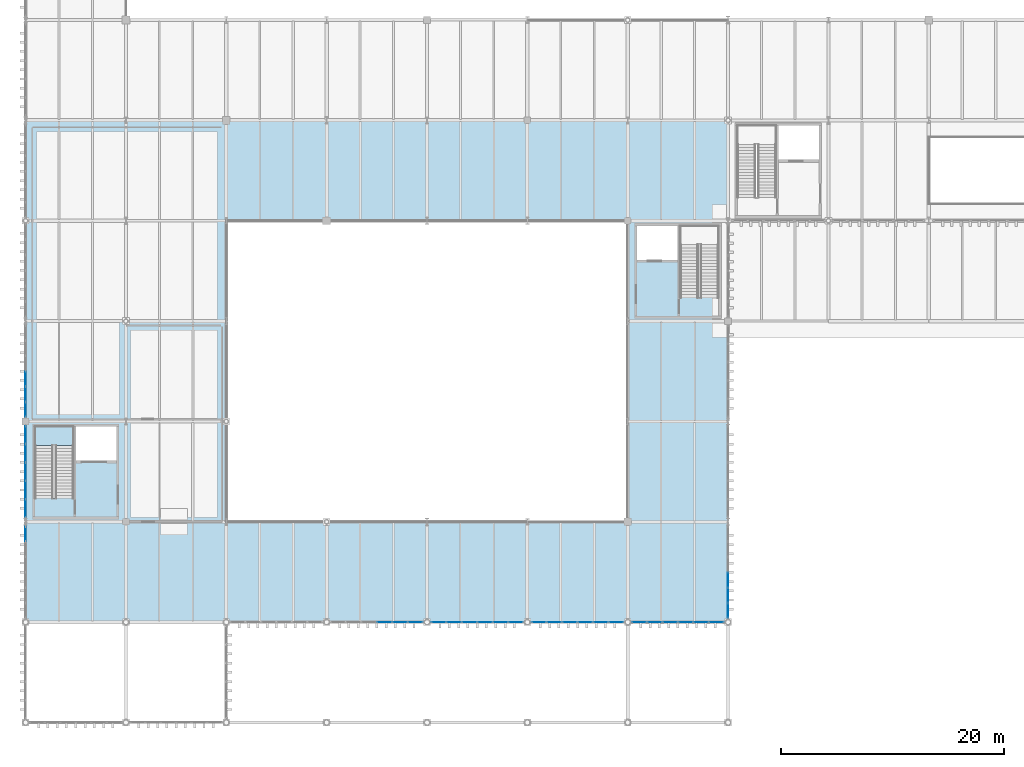
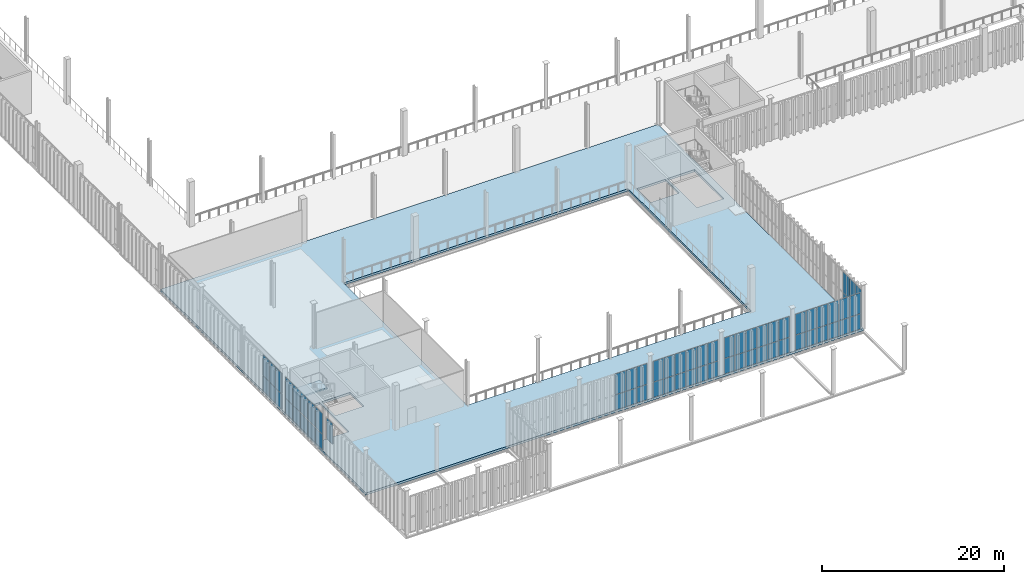
# One storey, part 152 of 211: 65 plates, 2 slabs, 9 elements without a shape of their own.
"""IFC4 building model written with IfcOpenShell, lengths in metres."""

from ifc_helpers import new_model, si_unit, direction, frame, origin, origin_2d, place, context, subcontext, project, spatial, polyline, rectangle, outline, extrude, material, layer, layer_set, type_object, element, aggregate, save


model = new_model("IFC4")

# Units and contexts
model_context = context("Model", 3, precision=1e-05, world=origin(), true_north=direction((0.0, 1.0)))
body_context = subcontext(model_context, "Body", "Model", "MODEL_VIEW")
ifc_project = project(units=[si_unit("LENGTHUNIT", "METRE"), si_unit("AREAUNIT", "SQUARE_METRE"), si_unit("VOLUMEUNIT", "CUBIC_METRE"), si_unit("PLANEANGLEUNIT", "RADIAN"), si_unit("MASSUNIT", "GRAM", prefix="KILO")], contexts=[model_context])

# Site, building, storey
site_placement = place(None, origin())
site = spatial("IfcSite", under=ifc_project, at=site_placement, CompositionType="ELEMENT")
building_placement = place(site_placement, origin())
building = spatial("IfcBuilding", under=site, at=building_placement, Name="Barlavento Convention Centre", CompositionType="ELEMENT")
storey_placement = place(building_placement, frame((0.0, 0.0, 6.0)))
storey = spatial("IfcBuildingStorey", under=building, at=storey_placement, Name="L01", CompositionType="ELEMENT", Elevation=6.0)

# Curtain wall, plates
ifc_material_1 = material(Name="Powder-coated aluminium and Low-E glass", Category="aluminium")
ifc_layer_1 = layer(ifc_material_1, 0.18505859375)
ifc_layer_set_1 = layer_set([ifc_layer_1], Name="ARC-CW-CONG-L01")
curtain_wall_type = type_object("IfcCurtainWallType", Name="ARC-CW-CONG-L01", PredefinedType="NOTDEFINED", material=ifc_layer_set_1)
curtain_wall_1_placement = place(storey_placement, origin())
curtain_wall_1 = element("IfcCurtainWall", 1, at=curtain_wall_1_placement, inside=storey, type_object=curtain_wall_type, Name="L01 unitised curtain wall CW01", PredefinedType="NOTDEFINED")
ifc_material_2 = material(Name="Double-silver Low-E acoustic laminated glass", Category="glass")
ifc_layer_2 = layer(ifc_material_2, 0.031982421875)
ifc_layer_set_2 = layer_set([ifc_layer_2], Name="ARC-CWP-GLZ32")
plate_type = type_object("IfcPlateType", Name="ARC-CWP-GLZ32", PredefinedType="CURTAIN_PANEL", material=ifc_layer_set_2)
plate_1_placement = place(storey_placement, frame((32.1943359375, 9.0, 0.06494140625), z_axis=(0.0, 0.0, 1.0), x_axis=(1.0, 0.0, 0.0)))
plate_1 = element("IfcPlate", 2, at=plate_1_placement, type_object=plate_type, Name="CW01 panel 4.1", PredefinedType="CURTAIN_PANEL", context=body_context, shape_type="SweptSolid", body=[
    extrude(rectangle(XDim=1.32373046875, YDim=0.031982421875, at=origin_2d()), origin(), (0.0, 0.0, 1.0), 2.00244140625),
])
plate_2_placement = place(storey_placement, frame((32.1943359375, 9.0, 2.132568359375), z_axis=(0.0, 0.0, 1.0), x_axis=(1.0, 0.0, 0.0)))
plate_2 = element("IfcPlate", 3, at=plate_2_placement, type_object=plate_type, Name="CW01 panel 4.2", PredefinedType="CURTAIN_PANEL", context=body_context, shape_type="SweptSolid", body=[
    extrude(rectangle(XDim=1.32373046875, YDim=0.031982421875, at=origin_2d()), origin(), (0.0, 0.0, 1.0), 2.75244140625),
])
plate_3_placement = place(storey_placement, frame((33.5830078125, 9.0, 0.06494140625), z_axis=(0.0, 0.0, 1.0), x_axis=(1.0, 0.0, 0.0)))
plate_3 = element("IfcPlate", 4, at=plate_3_placement, type_object=plate_type, Name="CW01 panel 5.1", PredefinedType="CURTAIN_PANEL", context=body_context, shape_type="SweptSolid", body=[
    extrude(rectangle(XDim=1.32373046875, YDim=0.031982421875, at=origin_2d()), origin(), (0.0, 0.0, 1.0), 2.00244140625),
])
plate_4_placement = place(storey_placement, frame((33.5830078125, 9.0, 2.132568359375), z_axis=(0.0, 0.0, 1.0), x_axis=(1.0, 0.0, 0.0)))
plate_4 = element("IfcPlate", 5, at=plate_4_placement, type_object=plate_type, Name="CW01 panel 5.2", PredefinedType="CURTAIN_PANEL", context=body_context, shape_type="SweptSolid", body=[
    extrude(rectangle(XDim=1.32373046875, YDim=0.031982421875, at=origin_2d()), origin(), (0.0, 0.0, 1.0), 2.75244140625),
])
plate_5_placement = place(storey_placement, frame((34.955322265625, 9.0, 0.06494140625), z_axis=(0.0, 0.0, 1.0), x_axis=(1.0, 0.0, 0.0)))
plate_5 = element("IfcPlate", 6, at=plate_5_placement, type_object=plate_type, Name="CW01 panel 6.1", PredefinedType="CURTAIN_PANEL", context=body_context, shape_type="SweptSolid", body=[
    extrude(rectangle(XDim=1.291259765625, YDim=0.031982421875, at=origin_2d()), origin(), (0.0, 0.0, 1.0), 2.00244140625),
])
plate_6_placement = place(storey_placement, frame((34.955322265625, 9.0, 2.132568359375), z_axis=(0.0, 0.0, 1.0), x_axis=(1.0, 0.0, 0.0)))
plate_6 = element("IfcPlate", 7, at=plate_6_placement, type_object=plate_type, Name="CW01 panel 6.2", PredefinedType="CURTAIN_PANEL", context=body_context, shape_type="SweptSolid", body=[
    extrude(rectangle(XDim=1.291259765625, YDim=0.031982421875, at=origin_2d()), origin(), (0.0, 0.0, 1.0), 2.75244140625),
])
aggregate(curtain_wall_1, [plate_1, plate_2, plate_3, plate_4, plate_5, plate_6])

curtain_wall_2_placement = place(storey_placement, origin())
curtain_wall_2 = element("IfcCurtainWall", 8, at=curtain_wall_2_placement, inside=storey, type_object=curtain_wall_type, Name="L01 unitised curtain wall CW01", PredefinedType="NOTDEFINED")
plate_7_placement = place(storey_placement, frame((37.044677734375, 9.0, 0.06494140625), z_axis=(0.0, 0.0, 1.0), x_axis=(1.0, 0.0, 0.0)))
plate_7 = element("IfcPlate", 9, at=plate_7_placement, type_object=plate_type, Name="CW01 panel 1.1", PredefinedType="CURTAIN_PANEL", context=body_context, shape_type="SweptSolid", body=[
    extrude(rectangle(XDim=1.291259765625, YDim=0.031982421875, at=origin_2d()), origin(), (0.0, 0.0, 1.0), 2.00244140625),
])
plate_8_placement = place(storey_placement, frame((37.044677734375, 9.0, 2.132568359375), z_axis=(0.0, 0.0, 1.0), x_axis=(1.0, 0.0, 0.0)))
plate_8 = element("IfcPlate", 10, at=plate_8_placement, type_object=plate_type, Name="CW01 panel 1.2", PredefinedType="CURTAIN_PANEL", context=body_context, shape_type="SweptSolid", body=[
    extrude(rectangle(XDim=1.291259765625, YDim=0.031982421875, at=origin_2d()), origin(), (0.0, 0.0, 1.0), 2.75244140625),
])
plate_9_placement = place(storey_placement, frame((38.4169921875, 9.0, 0.06494140625), z_axis=(0.0, 0.0, 1.0), x_axis=(1.0, 0.0, 0.0)))
plate_9 = element("IfcPlate", 11, at=plate_9_placement, type_object=plate_type, Name="CW01 panel 2.1", PredefinedType="CURTAIN_PANEL", context=body_context, shape_type="SweptSolid", body=[
    extrude(rectangle(XDim=1.32373046875, YDim=0.031982421875, at=origin_2d()), origin(), (0.0, 0.0, 1.0), 2.00244140625),
])
plate_10_placement = place(storey_placement, frame((38.4169921875, 9.0, 2.132568359375), z_axis=(0.0, 0.0, 1.0), x_axis=(1.0, 0.0, 0.0)))
plate_10 = element("IfcPlate", 12, at=plate_10_placement, type_object=plate_type, Name="CW01 panel 2.2", PredefinedType="CURTAIN_PANEL", context=body_context, shape_type="SweptSolid", body=[
    extrude(rectangle(XDim=1.32373046875, YDim=0.031982421875, at=origin_2d()), origin(), (0.0, 0.0, 1.0), 2.75244140625),
])
plate_11_placement = place(storey_placement, frame((39.8056640625, 9.0, 0.06494140625), z_axis=(0.0, 0.0, 1.0), x_axis=(1.0, 0.0, 0.0)))
plate_11 = element("IfcPlate", 13, at=plate_11_placement, type_object=plate_type, Name="CW01 panel 3.1", PredefinedType="CURTAIN_PANEL", context=body_context, shape_type="SweptSolid", body=[
    extrude(rectangle(XDim=1.32373046875, YDim=0.031982421875, at=origin_2d()), origin(), (0.0, 0.0, 1.0), 2.00244140625),
])
plate_12_placement = place(storey_placement, frame((39.8056640625, 9.0, 2.132568359375), z_axis=(0.0, 0.0, 1.0), x_axis=(1.0, 0.0, 0.0)))
plate_12 = element("IfcPlate", 14, at=plate_12_placement, type_object=plate_type, Name="CW01 panel 3.2", PredefinedType="CURTAIN_PANEL", context=body_context, shape_type="SweptSolid", body=[
    extrude(rectangle(XDim=1.32373046875, YDim=0.031982421875, at=origin_2d()), origin(), (0.0, 0.0, 1.0), 2.75244140625),
])
plate_13_placement = place(storey_placement, frame((41.1943359375, 9.0, 0.06494140625), z_axis=(0.0, 0.0, 1.0), x_axis=(1.0, 0.0, 0.0)))
plate_13 = element("IfcPlate", 15, at=plate_13_placement, type_object=plate_type, Name="CW01 panel 4.1", PredefinedType="CURTAIN_PANEL", context=body_context, shape_type="SweptSolid", body=[
    extrude(rectangle(XDim=1.32373046875, YDim=0.031982421875, at=origin_2d()), origin(), (0.0, 0.0, 1.0), 2.00244140625),
])
plate_14_placement = place(storey_placement, frame((41.1943359375, 9.0, 2.132568359375), z_axis=(0.0, 0.0, 1.0), x_axis=(1.0, 0.0, 0.0)))
plate_14 = element("IfcPlate", 16, at=plate_14_placement, type_object=plate_type, Name="CW01 panel 4.2", PredefinedType="CURTAIN_PANEL", context=body_context, shape_type="SweptSolid", body=[
    extrude(rectangle(XDim=1.32373046875, YDim=0.031982421875, at=origin_2d()), origin(), (0.0, 0.0, 1.0), 2.75244140625),
])
plate_15_placement = place(storey_placement, frame((42.5830078125, 9.0, 0.06494140625), z_axis=(0.0, 0.0, 1.0), x_axis=(1.0, 0.0, 0.0)))
plate_15 = element("IfcPlate", 17, at=plate_15_placement, type_object=plate_type, Name="CW01 panel 5.1", PredefinedType="CURTAIN_PANEL", context=body_context, shape_type="SweptSolid", body=[
    extrude(rectangle(XDim=1.32373046875, YDim=0.031982421875, at=origin_2d()), origin(), (0.0, 0.0, 1.0), 2.00244140625),
])
plate_16_placement = place(storey_placement, frame((42.5830078125, 9.0, 2.132568359375), z_axis=(0.0, 0.0, 1.0), x_axis=(1.0, 0.0, 0.0)))
plate_16 = element("IfcPlate", 18, at=plate_16_placement, type_object=plate_type, Name="CW01 panel 5.2", PredefinedType="CURTAIN_PANEL", context=body_context, shape_type="SweptSolid", body=[
    extrude(rectangle(XDim=1.32373046875, YDim=0.031982421875, at=origin_2d()), origin(), (0.0, 0.0, 1.0), 2.75244140625),
])
plate_17_placement = place(storey_placement, frame((43.955322265625, 9.0, 0.06494140625), z_axis=(0.0, 0.0, 1.0), x_axis=(1.0, 0.0, 0.0)))
plate_17 = element("IfcPlate", 19, at=plate_17_placement, type_object=plate_type, Name="CW01 panel 6.1", PredefinedType="CURTAIN_PANEL", context=body_context, shape_type="SweptSolid", body=[
    extrude(rectangle(XDim=1.291259765625, YDim=0.031982421875, at=origin_2d()), origin(), (0.0, 0.0, 1.0), 2.00244140625),
])
plate_18_placement = place(storey_placement, frame((43.955322265625, 9.0, 2.132568359375), z_axis=(0.0, 0.0, 1.0), x_axis=(1.0, 0.0, 0.0)))
plate_18 = element("IfcPlate", 20, at=plate_18_placement, type_object=plate_type, Name="CW01 panel 6.2", PredefinedType="CURTAIN_PANEL", context=body_context, shape_type="SweptSolid", body=[
    extrude(rectangle(XDim=1.291259765625, YDim=0.031982421875, at=origin_2d()), origin(), (0.0, 0.0, 1.0), 2.75244140625),
])
aggregate(curtain_wall_2, [plate_7, plate_8, plate_9, plate_10, plate_11, plate_12, plate_13, plate_14, plate_15, plate_16, plate_17, plate_18])

curtain_wall_3_placement = place(storey_placement, origin())
curtain_wall_3 = element("IfcCurtainWall", 21, at=curtain_wall_3_placement, inside=storey, type_object=curtain_wall_type, Name="L01 unitised curtain wall CW01", PredefinedType="NOTDEFINED")
plate_19_placement = place(storey_placement, frame((46.044677734375, 9.0, 0.06494140625), z_axis=(0.0, 0.0, 1.0), x_axis=(1.0, 0.0, 0.0)))
plate_19 = element("IfcPlate", 22, at=plate_19_placement, type_object=plate_type, Name="CW01 panel 1.1", PredefinedType="CURTAIN_PANEL", context=body_context, shape_type="SweptSolid", body=[
    extrude(rectangle(XDim=1.291259765625, YDim=0.031982421875, at=origin_2d()), origin(), (0.0, 0.0, 1.0), 2.00244140625),
])
plate_20_placement = place(storey_placement, frame((46.044677734375, 9.0, 2.132568359375), z_axis=(0.0, 0.0, 1.0), x_axis=(1.0, 0.0, 0.0)))
plate_20 = element("IfcPlate", 23, at=plate_20_placement, type_object=plate_type, Name="CW01 panel 1.2", PredefinedType="CURTAIN_PANEL", context=body_context, shape_type="SweptSolid", body=[
    extrude(rectangle(XDim=1.291259765625, YDim=0.031982421875, at=origin_2d()), origin(), (0.0, 0.0, 1.0), 2.75244140625),
])
plate_21_placement = place(storey_placement, frame((47.4169921875, 9.0, 0.06494140625), z_axis=(0.0, 0.0, 1.0), x_axis=(1.0, 0.0, 0.0)))
plate_21 = element("IfcPlate", 24, at=plate_21_placement, type_object=plate_type, Name="CW01 panel 2.1", PredefinedType="CURTAIN_PANEL", context=body_context, shape_type="SweptSolid", body=[
    extrude(rectangle(XDim=1.32373046875, YDim=0.031982421875, at=origin_2d()), origin(), (0.0, 0.0, 1.0), 2.00244140625),
])
plate_22_placement = place(storey_placement, frame((47.4169921875, 9.0, 2.132568359375), z_axis=(0.0, 0.0, 1.0), x_axis=(1.0, 0.0, 0.0)))
plate_22 = element("IfcPlate", 25, at=plate_22_placement, type_object=plate_type, Name="CW01 panel 2.2", PredefinedType="CURTAIN_PANEL", context=body_context, shape_type="SweptSolid", body=[
    extrude(rectangle(XDim=1.32373046875, YDim=0.031982421875, at=origin_2d()), origin(), (0.0, 0.0, 1.0), 2.75244140625),
])
plate_23_placement = place(storey_placement, frame((48.8056640625, 9.0, 0.06494140625), z_axis=(0.0, 0.0, 1.0), x_axis=(1.0, 0.0, 0.0)))
plate_23 = element("IfcPlate", 26, at=plate_23_placement, type_object=plate_type, Name="CW01 panel 3.1", PredefinedType="CURTAIN_PANEL", context=body_context, shape_type="SweptSolid", body=[
    extrude(rectangle(XDim=1.32373046875, YDim=0.031982421875, at=origin_2d()), origin(), (0.0, 0.0, 1.0), 2.00244140625),
])
plate_24_placement = place(storey_placement, frame((48.8056640625, 9.0, 2.132568359375), z_axis=(0.0, 0.0, 1.0), x_axis=(1.0, 0.0, 0.0)))
plate_24 = element("IfcPlate", 27, at=plate_24_placement, type_object=plate_type, Name="CW01 panel 3.2", PredefinedType="CURTAIN_PANEL", context=body_context, shape_type="SweptSolid", body=[
    extrude(rectangle(XDim=1.32373046875, YDim=0.031982421875, at=origin_2d()), origin(), (0.0, 0.0, 1.0), 2.75244140625),
])
plate_25_placement = place(storey_placement, frame((50.1943359375, 9.0, 0.06494140625), z_axis=(0.0, 0.0, 1.0), x_axis=(1.0, 0.0, 0.0)))
plate_25 = element("IfcPlate", 28, at=plate_25_placement, type_object=plate_type, Name="CW01 panel 4.1", PredefinedType="CURTAIN_PANEL", context=body_context, shape_type="SweptSolid", body=[
    extrude(rectangle(XDim=1.32373046875, YDim=0.031982421875, at=origin_2d()), origin(), (0.0, 0.0, 1.0), 2.00244140625),
])
plate_26_placement = place(storey_placement, frame((50.1943359375, 9.0, 2.132568359375), z_axis=(0.0, 0.0, 1.0), x_axis=(1.0, 0.0, 0.0)))
plate_26 = element("IfcPlate", 29, at=plate_26_placement, type_object=plate_type, Name="CW01 panel 4.2", PredefinedType="CURTAIN_PANEL", context=body_context, shape_type="SweptSolid", body=[
    extrude(rectangle(XDim=1.32373046875, YDim=0.031982421875, at=origin_2d()), origin(), (0.0, 0.0, 1.0), 2.75244140625),
])
plate_27_placement = place(storey_placement, frame((51.5830078125, 9.0, 0.06494140625), z_axis=(0.0, 0.0, 1.0), x_axis=(1.0, 0.0, 0.0)))
plate_27 = element("IfcPlate", 30, at=plate_27_placement, type_object=plate_type, Name="CW01 panel 5.1", PredefinedType="CURTAIN_PANEL", context=body_context, shape_type="SweptSolid", body=[
    extrude(rectangle(XDim=1.32373046875, YDim=0.031982421875, at=origin_2d()), origin(), (0.0, 0.0, 1.0), 2.00244140625),
])
plate_28_placement = place(storey_placement, frame((51.5830078125, 9.0, 2.132568359375), z_axis=(0.0, 0.0, 1.0), x_axis=(1.0, 0.0, 0.0)))
plate_28 = element("IfcPlate", 31, at=plate_28_placement, type_object=plate_type, Name="CW01 panel 5.2", PredefinedType="CURTAIN_PANEL", context=body_context, shape_type="SweptSolid", body=[
    extrude(rectangle(XDim=1.32373046875, YDim=0.031982421875, at=origin_2d()), origin(), (0.0, 0.0, 1.0), 2.75244140625),
])
plate_29_placement = place(storey_placement, frame((52.955322265625, 9.0, 0.06494140625), z_axis=(0.0, 0.0, 1.0), x_axis=(1.0, 0.0, 0.0)))
plate_29 = element("IfcPlate", 32, at=plate_29_placement, type_object=plate_type, Name="CW01 panel 6.1", PredefinedType="CURTAIN_PANEL", context=body_context, shape_type="SweptSolid", body=[
    extrude(rectangle(XDim=1.291259765625, YDim=0.031982421875, at=origin_2d()), origin(), (0.0, 0.0, 1.0), 2.00244140625),
])
plate_30_placement = place(storey_placement, frame((52.955322265625, 9.0, 2.132568359375), z_axis=(0.0, 0.0, 1.0), x_axis=(1.0, 0.0, 0.0)))
plate_30 = element("IfcPlate", 33, at=plate_30_placement, type_object=plate_type, Name="CW01 panel 6.2", PredefinedType="CURTAIN_PANEL", context=body_context, shape_type="SweptSolid", body=[
    extrude(rectangle(XDim=1.291259765625, YDim=0.031982421875, at=origin_2d()), origin(), (0.0, 0.0, 1.0), 2.75244140625),
])
aggregate(curtain_wall_3, [plate_19, plate_20, plate_21, plate_22, plate_23, plate_24, plate_25, plate_26, plate_27, plate_28, plate_29, plate_30])

curtain_wall_4_placement = place(storey_placement, origin())
curtain_wall_4 = element("IfcCurtainWall", 34, at=curtain_wall_4_placement, inside=storey, type_object=curtain_wall_type, Name="L01 unitised curtain wall CW01", PredefinedType="NOTDEFINED")
plate_31_placement = place(storey_placement, frame((55.044677734375, 9.0, 0.06494140625), z_axis=(0.0, 0.0, 1.0), x_axis=(1.0, 0.0, 0.0)))
plate_31 = element("IfcPlate", 35, at=plate_31_placement, type_object=plate_type, Name="CW01 panel 1.1", PredefinedType="CURTAIN_PANEL", context=body_context, shape_type="SweptSolid", body=[
    extrude(rectangle(XDim=1.291259765625, YDim=0.031982421875, at=origin_2d()), origin(), (0.0, 0.0, 1.0), 2.00244140625),
])
plate_32_placement = place(storey_placement, frame((55.044677734375, 9.0, 2.132568359375), z_axis=(0.0, 0.0, 1.0), x_axis=(1.0, 0.0, 0.0)))
plate_32 = element("IfcPlate", 36, at=plate_32_placement, type_object=plate_type, Name="CW01 panel 1.2", PredefinedType="CURTAIN_PANEL", context=body_context, shape_type="SweptSolid", body=[
    extrude(rectangle(XDim=1.291259765625, YDim=0.031982421875, at=origin_2d()), origin(), (0.0, 0.0, 1.0), 2.75244140625),
])
plate_33_placement = place(storey_placement, frame((56.4169921875, 9.0, 0.06494140625), z_axis=(0.0, 0.0, 1.0), x_axis=(1.0, 0.0, 0.0)))
plate_33 = element("IfcPlate", 37, at=plate_33_placement, type_object=plate_type, Name="CW01 panel 2.1", PredefinedType="CURTAIN_PANEL", context=body_context, shape_type="SweptSolid", body=[
    extrude(rectangle(XDim=1.32373046875, YDim=0.031982421875, at=origin_2d()), origin(), (0.0, 0.0, 1.0), 2.00244140625),
])
plate_34_placement = place(storey_placement, frame((56.4169921875, 9.0, 2.132568359375), z_axis=(0.0, 0.0, 1.0), x_axis=(1.0, 0.0, 0.0)))
plate_34 = element("IfcPlate", 38, at=plate_34_placement, type_object=plate_type, Name="CW01 panel 2.2", PredefinedType="CURTAIN_PANEL", context=body_context, shape_type="SweptSolid", body=[
    extrude(rectangle(XDim=1.32373046875, YDim=0.031982421875, at=origin_2d()), origin(), (0.0, 0.0, 1.0), 2.75244140625),
])
plate_35_placement = place(storey_placement, frame((57.8056640625, 9.0, 0.06494140625), z_axis=(0.0, 0.0, 1.0), x_axis=(1.0, 0.0, 0.0)))
plate_35 = element("IfcPlate", 39, at=plate_35_placement, type_object=plate_type, Name="CW01 panel 3.1", PredefinedType="CURTAIN_PANEL", context=body_context, shape_type="SweptSolid", body=[
    extrude(rectangle(XDim=1.32373046875, YDim=0.031982421875, at=origin_2d()), origin(), (0.0, 0.0, 1.0), 2.00244140625),
])
plate_36_placement = place(storey_placement, frame((57.8056640625, 9.0, 2.132568359375), z_axis=(0.0, 0.0, 1.0), x_axis=(1.0, 0.0, 0.0)))
plate_36 = element("IfcPlate", 40, at=plate_36_placement, type_object=plate_type, Name="CW01 panel 3.2", PredefinedType="CURTAIN_PANEL", context=body_context, shape_type="SweptSolid", body=[
    extrude(rectangle(XDim=1.32373046875, YDim=0.031982421875, at=origin_2d()), origin(), (0.0, 0.0, 1.0), 2.75244140625),
])
plate_37_placement = place(storey_placement, frame((59.1943359375, 9.0, 0.06494140625), z_axis=(0.0, 0.0, 1.0), x_axis=(1.0, 0.0, 0.0)))
plate_37 = element("IfcPlate", 41, at=plate_37_placement, type_object=plate_type, Name="CW01 panel 4.1", PredefinedType="CURTAIN_PANEL", context=body_context, shape_type="SweptSolid", body=[
    extrude(rectangle(XDim=1.32373046875, YDim=0.031982421875, at=origin_2d()), origin(), (0.0, 0.0, 1.0), 2.00244140625),
])
plate_38_placement = place(storey_placement, frame((59.1943359375, 9.0, 2.132568359375), z_axis=(0.0, 0.0, 1.0), x_axis=(1.0, 0.0, 0.0)))
plate_38 = element("IfcPlate", 42, at=plate_38_placement, type_object=plate_type, Name="CW01 panel 4.2", PredefinedType="CURTAIN_PANEL", context=body_context, shape_type="SweptSolid", body=[
    extrude(rectangle(XDim=1.32373046875, YDim=0.031982421875, at=origin_2d()), origin(), (0.0, 0.0, 1.0), 2.75244140625),
])
plate_39_placement = place(storey_placement, frame((60.5830078125, 9.0, 0.06494140625), z_axis=(0.0, 0.0, 1.0), x_axis=(1.0, 0.0, 0.0)))
plate_39 = element("IfcPlate", 43, at=plate_39_placement, type_object=plate_type, Name="CW01 panel 5.1", PredefinedType="CURTAIN_PANEL", context=body_context, shape_type="SweptSolid", body=[
    extrude(rectangle(XDim=1.32373046875, YDim=0.031982421875, at=origin_2d()), origin(), (0.0, 0.0, 1.0), 2.00244140625),
])
plate_40_placement = place(storey_placement, frame((60.5830078125, 9.0, 2.132568359375), z_axis=(0.0, 0.0, 1.0), x_axis=(1.0, 0.0, 0.0)))
plate_40 = element("IfcPlate", 44, at=plate_40_placement, type_object=plate_type, Name="CW01 panel 5.2", PredefinedType="CURTAIN_PANEL", context=body_context, shape_type="SweptSolid", body=[
    extrude(rectangle(XDim=1.32373046875, YDim=0.031982421875, at=origin_2d()), origin(), (0.0, 0.0, 1.0), 2.75244140625),
])
plate_41_placement = place(storey_placement, frame((61.955322265625, 9.0, 0.06494140625), z_axis=(0.0, 0.0, 1.0), x_axis=(1.0, 0.0, 0.0)))
plate_41 = element("IfcPlate", 45, at=plate_41_placement, type_object=plate_type, Name="CW01 panel 6.1", PredefinedType="CURTAIN_PANEL", context=body_context, shape_type="SweptSolid", body=[
    extrude(rectangle(XDim=1.291259765625, YDim=0.031982421875, at=origin_2d()), origin(), (0.0, 0.0, 1.0), 2.00244140625),
])
plate_42_placement = place(storey_placement, frame((61.955322265625, 9.0, 2.132568359375), z_axis=(0.0, 0.0, 1.0), x_axis=(1.0, 0.0, 0.0)))
plate_42 = element("IfcPlate", 46, at=plate_42_placement, type_object=plate_type, Name="CW01 panel 6.2", PredefinedType="CURTAIN_PANEL", context=body_context, shape_type="SweptSolid", body=[
    extrude(rectangle(XDim=1.291259765625, YDim=0.031982421875, at=origin_2d()), origin(), (0.0, 0.0, 1.0), 2.75244140625),
])
aggregate(curtain_wall_4, [plate_31, plate_32, plate_33, plate_34, plate_35, plate_36, plate_37, plate_38, plate_39, plate_40, plate_41, plate_42])

# Curtain wall, plate
curtain_wall_5_placement = place(storey_placement, origin())
curtain_wall_5 = element("IfcCurtainWall", 47, at=curtain_wall_5_placement, inside=storey, type_object=curtain_wall_type, Name="L01 unitised curtain wall CW01", PredefinedType="NOTDEFINED")
plate_43_placement = place(storey_placement, frame((0.0, 16.913330078125, 2.132568359375), z_axis=(0.0, 0.0, 1.0), x_axis=(0.0, 1.0, 0.0)))
plate_43 = element("IfcPlate", 48, at=plate_43_placement, type_object=plate_type, Name="CW01 panel 6.2", PredefinedType="CURTAIN_PANEL", context=body_context, shape_type="SweptSolid", body=[
    extrude(rectangle(XDim=1.283447265625, YDim=0.031982421875, at=origin_2d()), origin(), (0.0, 0.0, 1.0), 2.75244140625),
])
aggregate(curtain_wall_5, [plate_43])

# Curtain wall, plates
curtain_wall_6_placement = place(storey_placement, origin())
curtain_wall_6 = element("IfcCurtainWall", 49, at=curtain_wall_6_placement, inside=storey, type_object=curtain_wall_type, Name="L01 unitised curtain wall CW01", PredefinedType="NOTDEFINED")
plate_44_placement = place(storey_placement, frame((0.0, 19.22021484375, 0.06494140625), z_axis=(0.0, 0.0, 1.0), x_axis=(0.0, 1.0, 0.0)))
plate_44 = element("IfcPlate", 50, at=plate_44_placement, type_object=plate_type, Name="CW01 panel 1.1", PredefinedType="CURTAIN_PANEL", context=body_context, shape_type="SweptSolid", body=[
    extrude(rectangle(XDim=1.550537109375, YDim=0.031982421875, at=origin_2d()), origin(), (0.0, 0.0, 1.0), 2.00244140625),
])
plate_45_placement = place(storey_placement, frame((0.0, 19.22021484375, 2.132568359375), z_axis=(0.0, 0.0, 1.0), x_axis=(0.0, 1.0, 0.0)))
plate_45 = element("IfcPlate", 51, at=plate_45_placement, type_object=plate_type, Name="CW01 panel 1.2", PredefinedType="CURTAIN_PANEL", context=body_context, shape_type="SweptSolid", body=[
    extrude(rectangle(XDim=1.550537109375, YDim=0.031982421875, at=origin_2d()), origin(), (0.0, 0.0, 1.0), 2.75244140625),
])
plate_46_placement = place(storey_placement, frame((0.0, 20.85205078125, 0.06494140625), z_axis=(0.0, 0.0, 1.0), x_axis=(0.0, 1.0, 0.0)))
plate_46 = element("IfcPlate", 52, at=plate_46_placement, type_object=plate_type, Name="CW01 panel 2.1", PredefinedType="CURTAIN_PANEL", context=body_context, shape_type="SweptSolid", body=[
    extrude(rectangle(XDim=1.5830078125, YDim=0.031982421875, at=origin_2d()), origin(), (0.0, 0.0, 1.0), 2.00244140625),
])
plate_47_placement = place(storey_placement, frame((0.0, 20.85205078125, 2.132568359375), z_axis=(0.0, 0.0, 1.0), x_axis=(0.0, 1.0, 0.0)))
plate_47 = element("IfcPlate", 53, at=plate_47_placement, type_object=plate_type, Name="CW01 panel 2.2", PredefinedType="CURTAIN_PANEL", context=body_context, shape_type="SweptSolid", body=[
    extrude(rectangle(XDim=1.5830078125, YDim=0.031982421875, at=origin_2d()), origin(), (0.0, 0.0, 1.0), 2.75244140625),
])
plate_48_placement = place(storey_placement, frame((0.0, 22.5, 0.06494140625), z_axis=(0.0, 0.0, 1.0), x_axis=(0.0, 1.0, 0.0)))
plate_48 = element("IfcPlate", 54, at=plate_48_placement, type_object=plate_type, Name="CW01 panel 3.1", PredefinedType="CURTAIN_PANEL", context=body_context, shape_type="SweptSolid", body=[
    extrude(rectangle(XDim=1.5830078125, YDim=0.031982421875, at=origin_2d()), origin(), (0.0, 0.0, 1.0), 2.00244140625),
])
plate_49_placement = place(storey_placement, frame((0.0, 22.5, 2.132568359375), z_axis=(0.0, 0.0, 1.0), x_axis=(0.0, 1.0, 0.0)))
plate_49 = element("IfcPlate", 55, at=plate_49_placement, type_object=plate_type, Name="CW01 panel 3.2", PredefinedType="CURTAIN_PANEL", context=body_context, shape_type="SweptSolid", body=[
    extrude(rectangle(XDim=1.5830078125, YDim=0.031982421875, at=origin_2d()), origin(), (0.0, 0.0, 1.0), 2.75244140625),
])
plate_50_placement = place(storey_placement, frame((0.0, 24.14794921875, 0.06494140625), z_axis=(0.0, 0.0, 1.0), x_axis=(0.0, 1.0, 0.0)))
plate_50 = element("IfcPlate", 56, at=plate_50_placement, type_object=plate_type, Name="CW01 panel 4.1", PredefinedType="CURTAIN_PANEL", context=body_context, shape_type="SweptSolid", body=[
    extrude(rectangle(XDim=1.5830078125, YDim=0.031982421875, at=origin_2d()), origin(), (0.0, 0.0, 1.0), 2.00244140625),
])
plate_51_placement = place(storey_placement, frame((0.0, 24.14794921875, 2.132568359375), z_axis=(0.0, 0.0, 1.0), x_axis=(0.0, 1.0, 0.0)))
plate_51 = element("IfcPlate", 57, at=plate_51_placement, type_object=plate_type, Name="CW01 panel 4.2", PredefinedType="CURTAIN_PANEL", context=body_context, shape_type="SweptSolid", body=[
    extrude(rectangle(XDim=1.5830078125, YDim=0.031982421875, at=origin_2d()), origin(), (0.0, 0.0, 1.0), 2.75244140625),
])
plate_52_placement = place(storey_placement, frame((0.0, 25.77978515625, 0.06494140625), z_axis=(0.0, 0.0, 1.0), x_axis=(0.0, 1.0, 0.0)))
plate_52 = element("IfcPlate", 58, at=plate_52_placement, type_object=plate_type, Name="CW01 panel 5.1", PredefinedType="CURTAIN_PANEL", context=body_context, shape_type="SweptSolid", body=[
    extrude(rectangle(XDim=1.550537109375, YDim=0.031982421875, at=origin_2d()), origin(), (0.0, 0.0, 1.0), 2.00244140625),
])
plate_53_placement = place(storey_placement, frame((0.0, 25.77978515625, 2.132568359375), z_axis=(0.0, 0.0, 1.0), x_axis=(0.0, 1.0, 0.0)))
plate_53 = element("IfcPlate", 59, at=plate_53_placement, type_object=plate_type, Name="CW01 panel 5.2", PredefinedType="CURTAIN_PANEL", context=body_context, shape_type="SweptSolid", body=[
    extrude(rectangle(XDim=1.550537109375, YDim=0.031982421875, at=origin_2d()), origin(), (0.0, 0.0, 1.0), 2.75244140625),
])
aggregate(curtain_wall_6, [plate_44, plate_45, plate_46, plate_47, plate_48, plate_49, plate_50, plate_51, plate_52, plate_53])

curtain_wall_7_placement = place(storey_placement, origin())
curtain_wall_7 = element("IfcCurtainWall", 60, at=curtain_wall_7_placement, inside=storey, type_object=curtain_wall_type, Name="L01 unitised curtain wall CW01", PredefinedType="NOTDEFINED")
plate_54_placement = place(storey_placement, frame((0.0, 28.083984375, 0.06494140625), z_axis=(0.0, 0.0, 1.0), x_axis=(0.0, 1.0, 0.0)))
plate_54 = element("IfcPlate", 61, at=plate_54_placement, type_object=plate_type, Name="CW01 panel 1.1", PredefinedType="CURTAIN_PANEL", context=body_context, shape_type="SweptSolid", body=[
    extrude(rectangle(XDim=1.278076171875, YDim=0.031982421875, at=origin_2d()), origin(), (0.0, 0.0, 1.0), 2.00244140625),
])
plate_55_placement = place(storey_placement, frame((0.0, 28.083984375, 2.132568359375), z_axis=(0.0, 0.0, 1.0), x_axis=(0.0, 1.0, 0.0)))
plate_55 = element("IfcPlate", 62, at=plate_55_placement, type_object=plate_type, Name="CW01 panel 1.2", PredefinedType="CURTAIN_PANEL", context=body_context, shape_type="SweptSolid", body=[
    extrude(rectangle(XDim=1.278076171875, YDim=0.031982421875, at=origin_2d()), origin(), (0.0, 0.0, 1.0), 2.75244140625),
])
plate_56_placement = place(storey_placement, frame((0.0, 29.443603515625, 0.06494140625), z_axis=(0.0, 0.0, 1.0), x_axis=(0.0, 1.0, 0.0)))
plate_56 = element("IfcPlate", 63, at=plate_56_placement, type_object=plate_type, Name="CW01 panel 2.1", PredefinedType="CURTAIN_PANEL", context=body_context, shape_type="SweptSolid", body=[
    extrude(rectangle(XDim=1.310546875, YDim=0.031982421875, at=origin_2d()), origin(), (0.0, 0.0, 1.0), 2.00244140625),
])
plate_57_placement = place(storey_placement, frame((0.0, 29.443603515625, 2.132568359375), z_axis=(0.0, 0.0, 1.0), x_axis=(0.0, 1.0, 0.0)))
plate_57 = element("IfcPlate", 64, at=plate_57_placement, type_object=plate_type, Name="CW01 panel 2.2", PredefinedType="CURTAIN_PANEL", context=body_context, shape_type="SweptSolid", body=[
    extrude(rectangle(XDim=1.310546875, YDim=0.031982421875, at=origin_2d()), origin(), (0.0, 0.0, 1.0), 2.75244140625),
])
plate_58_placement = place(storey_placement, frame((0.0, 30.819091796875, 0.06494140625), z_axis=(0.0, 0.0, 1.0), x_axis=(0.0, 1.0, 0.0)))
plate_58 = element("IfcPlate", 65, at=plate_58_placement, type_object=plate_type, Name="CW01 panel 3.1", PredefinedType="CURTAIN_PANEL", context=body_context, shape_type="SweptSolid", body=[
    extrude(rectangle(XDim=1.310546875, YDim=0.031982421875, at=origin_2d()), origin(), (0.0, 0.0, 1.0), 2.00244140625),
])
plate_59_placement = place(storey_placement, frame((0.0, 30.819091796875, 2.132568359375), z_axis=(0.0, 0.0, 1.0), x_axis=(0.0, 1.0, 0.0)))
plate_59 = element("IfcPlate", 66, at=plate_59_placement, type_object=plate_type, Name="CW01 panel 3.2", PredefinedType="CURTAIN_PANEL", context=body_context, shape_type="SweptSolid", body=[
    extrude(rectangle(XDim=1.310546875, YDim=0.031982421875, at=origin_2d()), origin(), (0.0, 0.0, 1.0), 2.75244140625),
])
aggregate(curtain_wall_7, [plate_54, plate_55, plate_56, plate_57, plate_58, plate_59])

curtain_wall_8_placement = place(storey_placement, origin())
curtain_wall_8 = element("IfcCurtainWall", 67, at=curtain_wall_8_placement, inside=storey, type_object=curtain_wall_type, Name="L01 unitised curtain wall CW01", PredefinedType="NOTDEFINED")
plate_60_placement = place(storey_placement, frame((63.0, 10.039794921875, 0.06494140625), z_axis=(0.0, 0.0, 1.0), x_axis=(0.0, 1.0, 0.0)))
plate_60 = element("IfcPlate", 68, at=plate_60_placement, type_object=plate_type, Name="CW01 panel 1.1", PredefinedType="CURTAIN_PANEL", context=body_context, shape_type="SweptSolid", body=[
    extrude(rectangle(XDim=1.28173828125, YDim=0.031982421875, at=origin_2d()), origin(), (0.0, 0.0, 1.0), 2.00244140625),
])
plate_61_placement = place(storey_placement, frame((63.0, 10.039794921875, 2.132568359375), z_axis=(0.0, 0.0, 1.0), x_axis=(0.0, 1.0, 0.0)))
plate_61 = element("IfcPlate", 69, at=plate_61_placement, type_object=plate_type, Name="CW01 panel 1.2", PredefinedType="CURTAIN_PANEL", context=body_context, shape_type="SweptSolid", body=[
    extrude(rectangle(XDim=1.28173828125, YDim=0.031982421875, at=origin_2d()), origin(), (0.0, 0.0, 1.0), 2.75244140625),
])
plate_62_placement = place(storey_placement, frame((63.0, 11.403076171875, 0.06494140625), z_axis=(0.0, 0.0, 1.0), x_axis=(0.0, 1.0, 0.0)))
plate_62 = element("IfcPlate", 70, at=plate_62_placement, type_object=plate_type, Name="CW01 panel 2.1", PredefinedType="CURTAIN_PANEL", context=body_context, shape_type="SweptSolid", body=[
    extrude(rectangle(XDim=1.314453125, YDim=0.031982421875, at=origin_2d()), origin(), (0.0, 0.0, 1.0), 2.00244140625),
])
plate_63_placement = place(storey_placement, frame((63.0, 11.403076171875, 2.132568359375), z_axis=(0.0, 0.0, 1.0), x_axis=(0.0, 1.0, 0.0)))
plate_63 = element("IfcPlate", 71, at=plate_63_placement, type_object=plate_type, Name="CW01 panel 2.2", PredefinedType="CURTAIN_PANEL", context=body_context, shape_type="SweptSolid", body=[
    extrude(rectangle(XDim=1.314453125, YDim=0.031982421875, at=origin_2d()), origin(), (0.0, 0.0, 1.0), 2.75244140625),
])
plate_64_placement = place(storey_placement, frame((63.0, 12.7822265625, 0.06494140625), z_axis=(0.0, 0.0, 1.0), x_axis=(0.0, 1.0, 0.0)))
plate_64 = element("IfcPlate", 72, at=plate_64_placement, type_object=plate_type, Name="CW01 panel 3.1", PredefinedType="CURTAIN_PANEL", context=body_context, shape_type="SweptSolid", body=[
    extrude(rectangle(XDim=1.314453125, YDim=0.031982421875, at=origin_2d()), origin(), (0.0, 0.0, 1.0), 2.00244140625),
])
plate_65_placement = place(storey_placement, frame((63.0, 12.7822265625, 2.132568359375), z_axis=(0.0, 0.0, 1.0), x_axis=(0.0, 1.0, 0.0)))
plate_65 = element("IfcPlate", 73, at=plate_65_placement, type_object=plate_type, Name="CW01 panel 3.2", PredefinedType="CURTAIN_PANEL", context=body_context, shape_type="SweptSolid", body=[
    extrude(rectangle(XDim=1.314453125, YDim=0.031982421875, at=origin_2d()), origin(), (0.0, 0.0, 1.0), 2.75244140625),
])
aggregate(curtain_wall_8, [plate_60, plate_61, plate_62, plate_63, plate_64, plate_65])

# Stair, slab
ifc_material_3 = material(Name="Concrete C40/50", Category="concrete")
stair_type = type_object("IfcStairType", Name="ARC-STR-DOG-1620", PredefinedType="HALF_TURN_STAIR", material=ifc_material_3)
stair_placement = place(storey_placement, origin())
stair = element("IfcStair", 74, at=stair_placement, inside=storey, type_object=stair_type, Name="L01 ST01", PredefinedType="HALF_TURN_STAIR")
ifc_layer_3 = layer(ifc_material_3, 0.199951171875)
ifc_layer_set_3 = layer_set([ifc_layer_3], Name="ARC-SLB-LND-200")
slab_type_1 = type_object("IfcSlabType", Name="ARC-SLB-LND-200", PredefinedType="LANDING", material=ifc_layer_set_3)
slab_1_placement = place(storey_placement, frame((0.0, 0.0, 2.800048828125)))
slab_1 = element("IfcSlab", 75, at=slab_1_placement, type_object=slab_type_1, Name="ST01 landing 1", PredefinedType="LANDING", context=body_context, shape_type="SweptSolid", body=[
    extrude(outline(polyline([(4.2900390625, 24.85009765625), (4.2900390625, 26.530029296875), (0.85009765625, 26.530029296875), (0.85009765625, 24.85009765625), (4.2900390625, 24.85009765625)])), origin(), (0.0, 0.0, 1.0), 0.199951171875),
])
aggregate(stair, [slab_1])

# Slab
ifc_layer_4 = layer(ifc_material_3, 0.300048828125)
ifc_layer_set_4 = layer_set([ifc_layer_4], Name="STR-SLB-FLR-300")
slab_type_2 = type_object("IfcSlabType", Name="STR-SLB-FLR-300", PredefinedType="FLOOR", material=ifc_layer_set_4)
slab_2_placement = place(storey_placement, frame((0.0, 0.0, -0.300048828125)))
element("IfcSlab", 76, at=slab_2_placement, inside=storey, type_object=slab_type_2, Name="L01 structural slab FS-101", PredefinedType="FLOOR", context=body_context, shape_type="SweptSolid", body=[
    extrude(outline(polyline([(0.0, 9.0), (63.0, 9.0), (63.0, 54.0), (0.0, 54.0), (0.0, 9.0)]), holes=[polyline([(4.2900390625, 20.114990234375), (4.2900390625, 26.530029296875), (0.85009765625, 26.530029296875), (0.85009765625, 20.114990234375), (4.2900390625, 20.114990234375)]), polyline([(4.5400390625, 23.4951171875), (8.14990234375, 23.4951171875), (8.14990234375, 26.530029296875), (4.5400390625, 26.530029296875), (4.5400390625, 23.4951171875)]), polyline([(62.14990234375, 38.114990234375), (62.14990234375, 44.530029296875), (58.7099609375, 44.530029296875), (58.7099609375, 38.114990234375), (62.14990234375, 38.114990234375)]), polyline([(54.85009765625, 41.4951171875), (58.4599609375, 41.4951171875), (58.4599609375, 44.530029296875), (54.85009765625, 44.530029296875), (54.85009765625, 41.4951171875)]), polyline([(18.0, 18.0), (54.0, 18.0), (54.0, 45.0), (18.0, 45.0), (18.0, 18.0)])]), origin(), (0.0, 0.0, 1.0), 0.300048828125),
])

save(model, "model.ifc")
